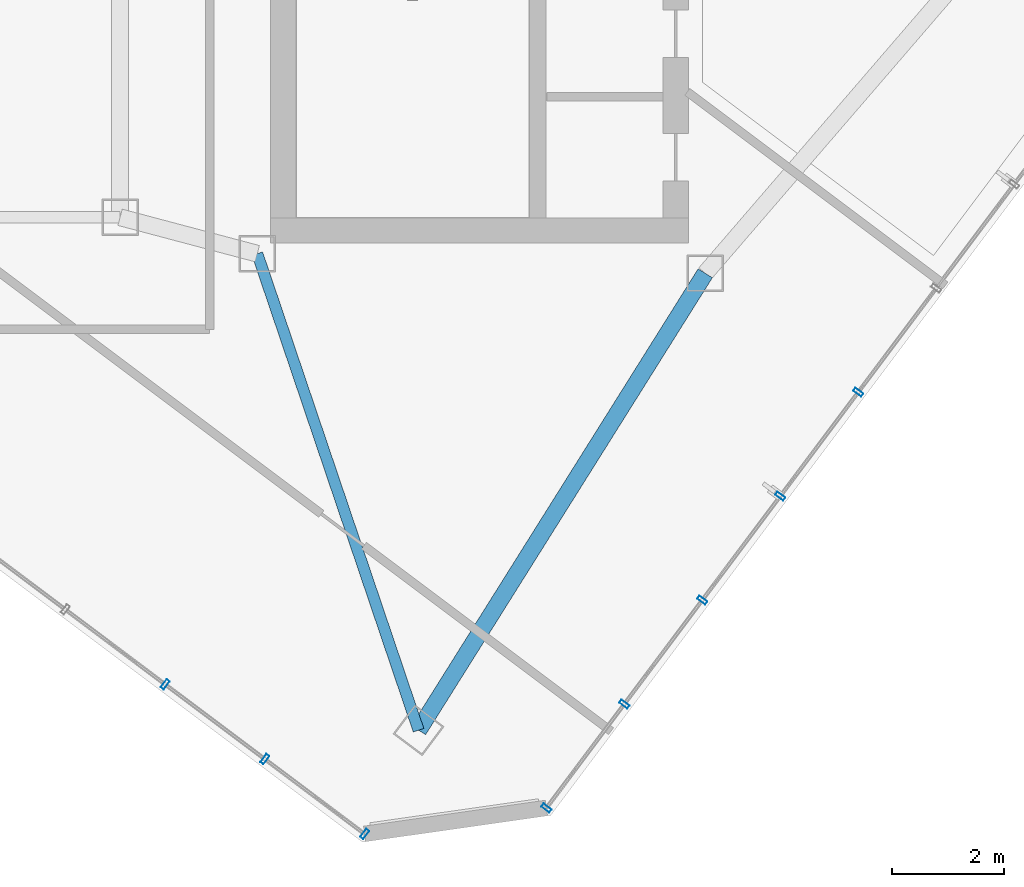
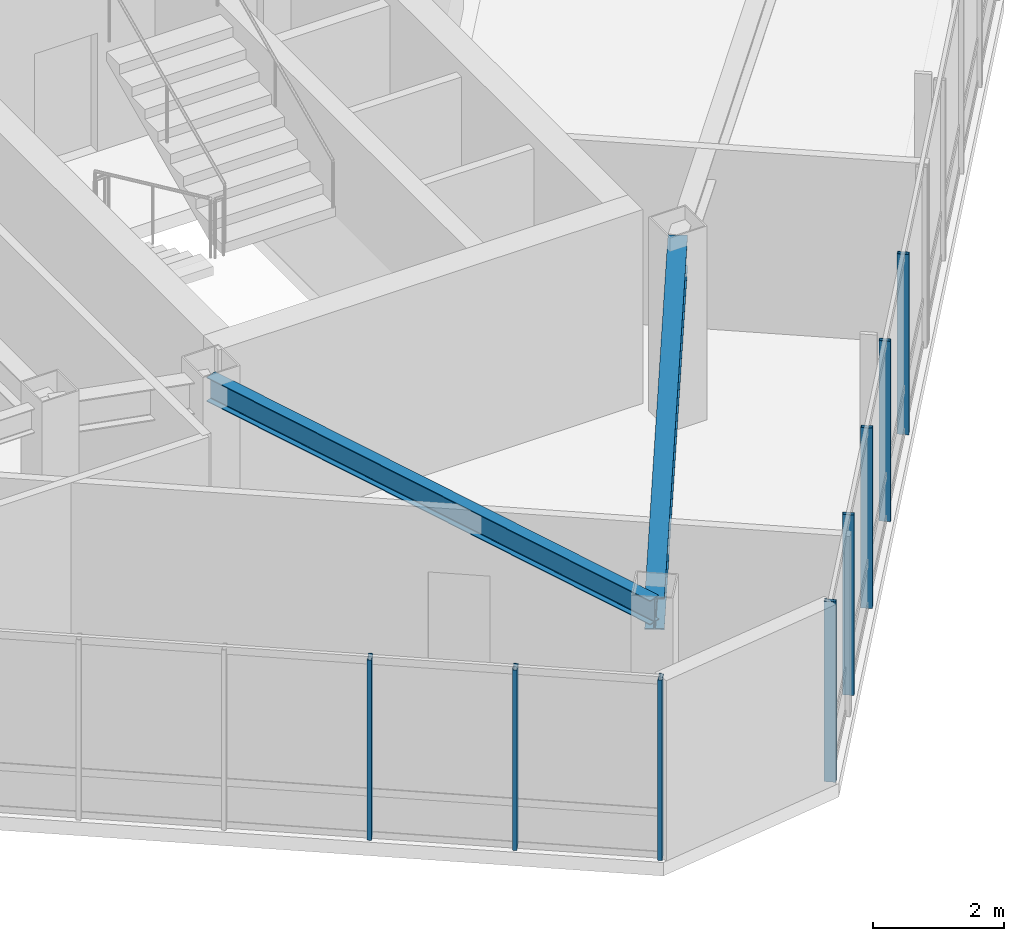
# One storey, part 5 of 22: 8 members, 2 beams, 2 elements without a shape of their own.
"""IFC4 building model written with IfcOpenShell, lengths in metres."""

from ifc_helpers import new_model, si_unit, direction, frame, origin, origin_2d, place, context, subcontext, project, spatial, hollow_rectangle, i_section, extrude, material, layer, layer_set, material_profile, profile_set, type_object, element, aggregate, save


model = new_model("IFC4")

# Units and contexts
model_context = context("Model", 3, precision=1e-05, world=origin(), true_north=direction((0.0, 1.0)))
body_context = subcontext(model_context, "Body", "Model", "MODEL_VIEW")
ifc_project = project(units=[si_unit("LENGTHUNIT", "METRE"), si_unit("AREAUNIT", "SQUARE_METRE"), si_unit("VOLUMEUNIT", "CUBIC_METRE"), si_unit("PLANEANGLEUNIT", "RADIAN"), si_unit("MASSUNIT", "GRAM", prefix="KILO")], contexts=[model_context])

# Site, building, storey
site_placement = place(None, origin())
site = spatial("IfcSite", under=ifc_project, at=site_placement, CompositionType="ELEMENT")
building_placement = place(site_placement, origin())
building = spatial("IfcBuilding", under=site, at=building_placement, Name="Hatsunagi Terrace Concourse", CompositionType="ELEMENT")
storey_placement = place(building_placement, frame((0.0, 0.0, 239.550048828125)))
storey = spatial("IfcBuildingStorey", under=building, at=storey_placement, Name="L63", CompositionType="ELEMENT", Elevation=239.550048828125)

# Curtain wall, members
ifc_material_1 = material(Name="Anodised Aluminium Alloy 6063-T5", Category="aluminium")
ifc_layer = layer(ifc_material_1, 0.199951171875)
ifc_layer_set = layer_set([ifc_layer], Name="OfficeZone2_CW04")
curtain_wall_type = type_object("IfcCurtainWallType", Name="OfficeZone2_CW04", PredefinedType="NOTDEFINED", material=ifc_layer_set)
curtain_wall_1_placement = place(storey_placement, origin())
curtain_wall_1 = element("IfcCurtainWall", 1, at=curtain_wall_1_placement, inside=storey, type_object=curtain_wall_type, Name="Unitised Curtain Wall CW-04 CW-L63-03", PredefinedType="NOTDEFINED")
ifc_material_2 = material(Name="Anodised Aluminium Alloy 6063-T5", Category="aluminium")
ifc_material_profile_1 = material_profile(ifc_material_2, hollow_rectangle(XDim=0.070068359375, YDim=0.179931640625, WallThickness=0.00390625, at=origin_2d()), Name="ALU-MUL-180x70x4")
ifc_profile_set_1 = profile_set([ifc_material_profile_1], Name="Anodised Aluminium Alloy 6063-T5")
member_type = type_object("IfcMemberType", Name="CurtainWallMullion_180x70", PredefinedType="MULLION", material=ifc_profile_set_1)
member_1_placement = place(storey_placement, frame((46.531982421875, 22.075927734375, 0.0), z_axis=(0.0, 0.0, 1.0), x_axis=(-0.599969314634, -0.800023013105, 0.0)))
member_1 = element("IfcMember", 2, at=member_1_placement, type_object=member_type, Name="Curtain Wall Mullion MUL-02", PredefinedType="MULLION", context=body_context, shape_type="SweptSolid", body=[
    extrude(hollow_rectangle(XDim=0.070068359375, YDim=0.179931640625, WallThickness=0.00390625, at=origin_2d()), origin(), (0.0, 0.0, 1.0), 3.349853515625),
])
member_2_placement = place(storey_placement, frame((45.139892578125, 20.218994140625, 0.0), z_axis=(0.0, 0.0, 1.0), x_axis=(-0.599969314634, -0.800023013105, 0.0)))
member_2 = element("IfcMember", 3, at=member_2_placement, type_object=member_type, Name="Curtain Wall Mullion MUL-02", PredefinedType="MULLION", context=body_context, shape_type="SweptSolid", body=[
    extrude(hollow_rectangle(XDim=0.070068359375, YDim=0.179931640625, WallThickness=0.00390625, at=origin_2d()), origin(), (0.0, 0.0, 1.0), 3.349853515625),
])
member_3_placement = place(storey_placement, frame((43.7470703125, 18.363037109375, 0.0), z_axis=(0.0, 0.0, 1.0), x_axis=(-0.599969314634, -0.800023013105, 0.0)))
member_3 = element("IfcMember", 4, at=member_3_placement, type_object=member_type, Name="Curtain Wall Mullion MUL-02", PredefinedType="MULLION", context=body_context, shape_type="SweptSolid", body=[
    extrude(hollow_rectangle(XDim=0.070068359375, YDim=0.179931640625, WallThickness=0.00390625, at=origin_2d()), origin(), (0.0, 0.0, 1.0), 3.349853515625),
])
member_4_placement = place(storey_placement, frame((42.35498046875, 16.506103515625, 0.0), z_axis=(0.0, 0.0, 1.0), x_axis=(-0.599969314634, -0.800023013105, 0.0)))
member_4 = element("IfcMember", 5, at=member_4_placement, type_object=member_type, Name="Curtain Wall Mullion MUL-02", PredefinedType="MULLION", context=body_context, shape_type="SweptSolid", body=[
    extrude(hollow_rectangle(XDim=0.070068359375, YDim=0.179931640625, WallThickness=0.00390625, at=origin_2d()), origin(), (0.0, 0.0, 1.0), 3.349853515625),
])
member_5_placement = place(storey_placement, frame((40.962890625, 14.64990234375, 0.0), z_axis=(0.0, 0.0, 1.0), x_axis=(-0.599969314634, -0.800023013105, 0.0)))
member_5 = element("IfcMember", 6, at=member_5_placement, type_object=member_type, Name="Curtain Wall Mullion MUL-02", PredefinedType="MULLION", context=body_context, shape_type="SweptSolid", body=[
    extrude(hollow_rectangle(XDim=0.070068359375, YDim=0.179931640625, WallThickness=0.00390625, at=origin_2d()), origin(), (0.0, 0.0, 1.0), 3.349853515625),
])
aggregate(curtain_wall_1, [member_1, member_2, member_3, member_4, member_5])

curtain_wall_2_placement = place(storey_placement, origin())
curtain_wall_2 = element("IfcCurtainWall", 7, at=curtain_wall_2_placement, inside=storey, type_object=curtain_wall_type, Name="Unitised Curtain Wall CW-04 CW-L63-05", PredefinedType="NOTDEFINED")
member_6_placement = place(storey_placement, frame((37.718017578125, 14.18701171875, 0.0), z_axis=(0.0, 0.0, 1.0), x_axis=(-0.800007305671, 0.599990258982, 0.0)))
member_6 = element("IfcMember", 8, at=member_6_placement, type_object=member_type, Name="Curtain Wall Mullion MUL-02", PredefinedType="MULLION", context=body_context, shape_type="SweptSolid", body=[
    extrude(hollow_rectangle(XDim=0.070068359375, YDim=0.179931640625, WallThickness=0.00390625, at=origin_2d()), origin(), (0.0, 0.0, 1.0), 3.349853515625),
])
member_7_placement = place(storey_placement, frame((35.93603515625, 15.52294921875, 0.0), z_axis=(0.0, 0.0, 1.0), x_axis=(-0.800007305671, 0.599990258982, 0.0)))
member_7 = element("IfcMember", 9, at=member_7_placement, type_object=member_type, Name="Curtain Wall Mullion MUL-02", PredefinedType="MULLION", context=body_context, shape_type="SweptSolid", body=[
    extrude(hollow_rectangle(XDim=0.070068359375, YDim=0.179931640625, WallThickness=0.00390625, at=origin_2d()), origin(), (0.0, 0.0, 1.0), 3.349853515625),
])
member_8_placement = place(storey_placement, frame((34.155029296875, 16.85888671875, 0.0), z_axis=(0.0, 0.0, 1.0), x_axis=(-0.800007305671, 0.599990258982, 0.0)))
member_8 = element("IfcMember", 10, at=member_8_placement, type_object=member_type, Name="Curtain Wall Mullion MUL-02", PredefinedType="MULLION", context=body_context, shape_type="SweptSolid", body=[
    extrude(hollow_rectangle(XDim=0.070068359375, YDim=0.179931640625, WallThickness=0.00390625, at=origin_2d()), origin(), (0.0, 0.0, 1.0), 3.349853515625),
])
aggregate(curtain_wall_2, [member_6, member_7, member_8])

# Beams
ifc_material_3 = material(Name="Steel SN490B", Category="steel")
ifc_material_profile_2 = material_profile(ifc_material_3, i_section(OverallWidth=0.300048828125, OverallDepth=0.587890625, WebThickness=0.011962890625, FlangeThickness=0.02001953125, FilletRadius=0.01806640625, at=origin_2d()), Name="H-588x300x12x20")
ifc_profile_set_2 = profile_set([ifc_material_profile_2], Name="Steel SN490B")
beam_type_1 = type_object("IfcBeamType", Name="OfficeHighGirder_H_588x300", PredefinedType="BEAM", material=ifc_profile_set_2)
beam_1_placement = place(storey_placement, frame((38.679931640625, 16.0400390625, 3.055908203125), z_axis=(0.531503907049, 0.847055840421, 0.0), x_axis=(-0.847055840421, 0.531503907049, 0.0)))
element("IfcBeam", 11, at=beam_1_placement, inside=storey, type_object=beam_type_1, Name="Beam G-06 BM-L63-SET-1A", PredefinedType="BEAM", context=body_context, shape_type="SweptSolid", body=[
    extrude(i_section(OverallWidth=0.300048828125, OverallDepth=0.587890625, WebThickness=0.011962890625, FlangeThickness=0.02001953125, FilletRadius=0.01806640625, at=origin_2d()), origin(), (0.0, 0.0, 1.0), 9.63330078125),
])
ifc_material_4 = material(Name="Steel SN490B", Category="steel")
ifc_material_profile_3 = material_profile(ifc_material_4, i_section(OverallWidth=0.199951171875, OverallDepth=0.449951171875, WebThickness=0.009033203125, FlangeThickness=0.013916015625, FilletRadius=0.01611328125, at=origin_2d()), Name="H-450x200x9x14")
ifc_profile_set_3 = profile_set([ifc_material_profile_3], Name="Steel SN490B")
beam_type_2 = type_object("IfcBeamType", Name="PerimeterSpandrel_H_450x200", PredefinedType="SPANDREL", material=ifc_profile_set_3)
beam_2_placement = place(storey_placement, frame((35.800048828125, 24.550048828125, 3.125), z_axis=(0.320553412271, -0.947230441805, 0.0), x_axis=(0.947230441805, 0.320553412271, 0.0)))
element("IfcBeam", 12, at=beam_2_placement, inside=storey, type_object=beam_type_2, Name="Beam SP-02 BM-L63-SE-SW0", PredefinedType="SPANDREL", context=body_context, shape_type="SweptSolid", body=[
    extrude(i_section(OverallWidth=0.199951171875, OverallDepth=0.449951171875, WebThickness=0.009033203125, FlangeThickness=0.013916015625, FilletRadius=0.01611328125, at=origin_2d()), origin(), (0.0, 0.0, 1.0), 8.984130859375),
])

save(model, "model.ifc")
